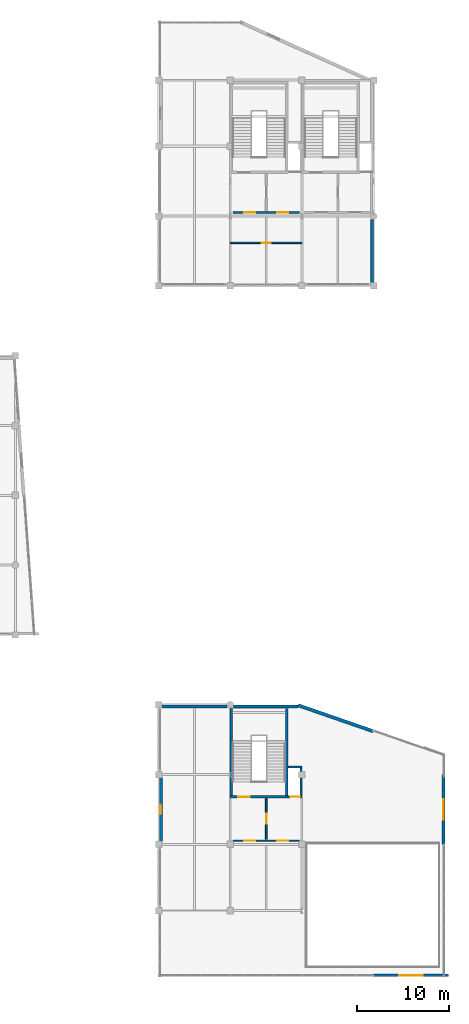
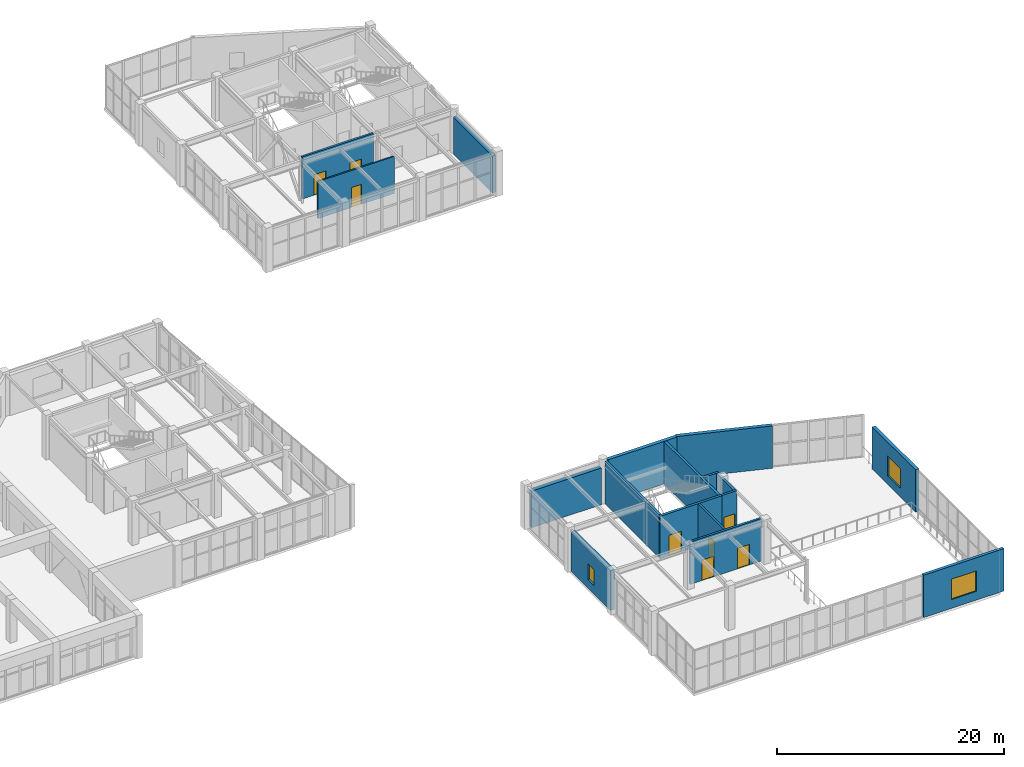
# One storey, part 67 of 72: 17 walls, 8 doors, 3 windows, 11 openings.
"""IFC4 building model written with IfcOpenShell, lengths in metres."""

from ifc_helpers import new_model, si_unit, direction, frame, frame_2d, origin, place, context, subcontext, project, spatial, rectangle, extrude, material, layer, layer_set, type_object, element, fill, save


model = new_model("IFC4")

# Units and contexts
model_context = context("Model", 3, precision=1e-05, world=origin(), true_north=direction((0.0, 1.0)))
body_context = subcontext(model_context, "Body", "Model", "MODEL_VIEW")
ifc_project = project(units=[si_unit("LENGTHUNIT", "METRE"), si_unit("AREAUNIT", "SQUARE_METRE"), si_unit("VOLUMEUNIT", "CUBIC_METRE"), si_unit("PLANEANGLEUNIT", "RADIAN"), si_unit("MASSUNIT", "GRAM", prefix="KILO")], contexts=[model_context])

# Site, building, storey
site_placement = place(None, origin())
site = spatial("IfcSite", under=ifc_project, at=site_placement, CompositionType="ELEMENT")
building_placement = place(site_placement, origin())
building = spatial("IfcBuilding", under=site, at=building_placement, Name="Xicomal Pleat Aquarium", CompositionType="ELEMENT")
storey_placement = place(building_placement, frame((0.0, 0.0, 10.5)))
storey = spatial("IfcBuildingStorey", under=building, at=storey_placement, Name="L03", CompositionType="ELEMENT", Elevation=10.5)

# Wall, opening, door
ifc_material_1 = material(Name="Concrete C40/50", Category="concrete")
ifc_layer_1 = layer(ifc_material_1, 0.219970703125)
ifc_layer_set_1 = layer_set([ifc_layer_1], Name="Concrete C40/50")
wall_type_1 = type_object("IfcWallType", Name="WAL-COR-220", PredefinedType="SHEAR", material=ifc_layer_set_1)
wall_1_placement = place(storey_placement, frame((147.89990234375, 20.389892578125, 0.0), z_axis=(0.0, 0.0, 1.0), x_axis=(1.0, 0.0, 0.0)))
wall_1 = element("IfcWall", 1, at=wall_1_placement, inside=storey, type_object=wall_type_1, Name="L03 LF-08 lift shaft wall CW-L03-C8-LS", PredefinedType="SHEAR", context=body_context, shape_type="SweptSolid", body=[
    extrude(rectangle(XDim=1.52001953125, YDim=0.219970703125, at=frame_2d((0.760009765625, 0.0))), origin(), (0.0, 0.0, 1.0), 4.574951171875),
])
opening_1_placement = place(wall_1_placement, frame((0.2099609375, 0.0, 0.0)))
opening_1 = element("IfcOpeningElement", 2, at=opening_1_placement, cuts=wall_1, Name="Opening LD-08-L03", PredefinedType="OPENING", context=body_context, shape_type="SweptSolid", body=[
    extrude(rectangle(XDim=1.10009765625, YDim=2.14990234375, at=frame_2d((0.550048828125, 1.074951171875))), frame((0.0, 0.119873046875, 0.0), z_axis=(0.0, -1.0, 0.0), x_axis=(1.0, 0.0, 0.0)), (0.0, 0.0, 1.0), 0.239990234375),
])
ifc_material_2 = material(Name="Brushed stainless steel 304", Category="steel")
door_type_1 = type_object("IfcDoorType", Name="DOR-LD-1100x2150", OperationType="DOUBLE_DOOR_SLIDING", PredefinedType="DOOR", material=ifc_material_2)
door_1_placement = place(opening_1_placement, origin())
door_1 = element("IfcDoor", 3, at=door_1_placement, inside=storey, type_object=door_type_1, Name="L03 LF-08 sliding lift landing door", OperationType="DOUBLE_DOOR_SLIDING", OverallHeight=2.14990234375, OverallWidth=1.10009765625, PredefinedType="DOOR", context=body_context, shape_type="SweptSolid", body=[
    extrude(rectangle(XDim=1.10009765625, YDim=2.14990234375, at=frame_2d((0.550048828125, 1.074951171875))), frame((0.0, 0.02490234375, 0.0), z_axis=(0.0, -1.0, 0.0), x_axis=(1.0, 0.0, 0.0)), (0.0, 0.0, 1.0), 0.050048828125),
])
fill(opening_1, door_1)

# Walls
wall_2_placement = place(storey_placement, frame((147.89990234375, 23.610107421875, 0.0), z_axis=(0.0, 0.0, 1.0), x_axis=(1.0, 0.0, 0.0)))
element("IfcWall", 4, at=wall_2_placement, inside=storey, type_object=wall_type_1, Name="L03 LF-08 lift shaft wall CW-L03-C8-LN", PredefinedType="SHEAR", context=body_context, shape_type="SweptSolid", body=[
    extrude(rectangle(XDim=1.52001953125, YDim=0.219970703125, at=frame_2d((0.760009765625, 0.0))), origin(), (0.0, 0.0, 1.0), 4.574951171875),
])
wall_3_placement = place(storey_placement, frame((149.31005859375, 20.5, 0.0), z_axis=(0.0, 0.0, 1.0), x_axis=(0.0, 1.0, 0.0)))
element("IfcWall", 5, at=wall_3_placement, inside=storey, type_object=wall_type_1, Name="L03 LF-08 lift shaft wall CW-L03-C8-LE", PredefinedType="SHEAR", context=body_context, shape_type="SweptSolid", body=[
    extrude(rectangle(XDim=3.0, YDim=0.219970703125, at=frame_2d((1.5, 0.0))), origin(), (0.0, 0.0, 1.0), 4.574951171875),
])

# Wall, opening, door
ifc_material_3 = material(Name="Concrete C40/50", Category="concrete")
ifc_layer_2 = layer(ifc_material_3, 0.25)
ifc_layer_set_2 = layer_set([ifc_layer_2], Name="Concrete C40/50")
wall_type_2 = type_object("IfcWallType", Name="WAL-COR-250", PredefinedType="SHEAR", material=ifc_layer_set_2)
wall_4_placement = place(storey_placement, frame((141.590087890625, 20.375, 0.0), z_axis=(0.0, 0.0, 1.0), x_axis=(1.0, 0.0, 0.0)))
wall_4 = element("IfcWall", 6, at=wall_4_placement, inside=storey, type_object=wall_type_2, Name="L03 CORE-8 stair shear wall CW-L03-C8-SS", PredefinedType="SHEAR", context=body_context, shape_type="SweptSolid", body=[
    extrude(rectangle(XDim=6.280029296875, YDim=0.25, at=frame_2d((3.14013671875, 0.0))), origin(), (0.0, 0.0, 1.0), 4.574951171875),
])
opening_2_placement = place(wall_4_placement, frame((0.89990234375, 0.0, 0.0)))
opening_2 = element("IfcOpeningElement", 7, at=opening_2_placement, cuts=wall_4, Name="Opening SD-08-L03", PredefinedType="OPENING", context=body_context, shape_type="SweptSolid", body=[
    extrude(rectangle(XDim=1.25, YDim=2.199951171875, at=frame_2d((0.625, 1.10009765625))), frame((0.0, 0.135009765625, 0.0), z_axis=(0.0, -1.0, 0.0), x_axis=(1.0, 0.0, 0.0)), (0.0, 0.0, 1.0), 0.27001953125),
])
ifc_material_4 = material(Name="Powder-coated steel fire door", Category="steel")
door_type_2 = type_object("IfcDoorType", Name="DOR-ST-1250x2200", OperationType="NOTDEFINED", PredefinedType="DOOR", material=ifc_material_4)
door_2_placement = place(opening_2_placement, origin())
door_2 = element("IfcDoor", 8, at=door_2_placement, inside=storey, type_object=door_type_2, Name="L03 ST-08 protected stair door", OperationType="SINGLE_SWING_LEFT", OverallHeight=2.199951171875, OverallWidth=1.25, PredefinedType="DOOR", context=body_context, shape_type="SweptSolid", body=[
    extrude(rectangle(XDim=1.25, YDim=2.199951171875, at=frame_2d((0.625, 1.10009765625))), frame((0.0, 0.02490234375, 0.0), z_axis=(0.0, -1.0, 0.0), x_axis=(1.0, 0.0, 0.0)), (0.0, 0.0, 1.0), 0.050048828125),
])
fill(opening_2, door_2)

# Walls
for number, where, z_axis, x_axis, name in (
    (9, (141.715087890625, 20.5, 0.0), (0.0, 0.0, 1.0), (0.0, 1.0, 0.0), "L03 CORE-8 stair shear wall CW-L03-C8-SW"),
    (10, (147.7451171875, 20.5, 0.0), (0.0, 0.0, 1.0), (0.0, 1.0, 0.0), "L03 CORE-8 stair shear wall CW-L03-C8-SE"),
):
    element("IfcWall", number, at=place(storey_placement, frame(where, z_axis=z_axis, x_axis=x_axis)), inside=storey, type_object=wall_type_2, Name=name, PredefinedType="SHEAR", context=body_context, shape_type="SweptSolid", body=[
        extrude(rectangle(XDim=9.5, YDim=0.25, at=frame_2d((4.75, 0.0))), origin(), (0.0, 0.0, 1.0), 4.574951171875),
    ])
ifc_material_5 = material(Name="Volcanic basalt recinto masonry and concrete C40/50", Category="masonry")
ifc_layer_3 = layer(ifc_material_5, 0.35009765625)
ifc_layer_set_3 = layer_set([ifc_layer_3], Name="Volcanic basalt recinto masonry and concrete C40/50")
wall_type_3 = type_object("IfcWallType", Name="WAL-EXT-BAS-350", PredefinedType="SOLIDWALL", material=ifc_layer_set_3)
wall_5_placement = place(storey_placement, frame((141.9599609375, 30.22509765625, 0.0), z_axis=(0.0, 0.0, 1.0), x_axis=(1.0, 0.0, 0.0)))
element("IfcWall", 11, at=wall_5_placement, inside=storey, type_object=wall_type_3, Name="L03 exterior basalt-precast wall EW-L03-015", PredefinedType="SOLIDWALL", context=body_context, shape_type="SweptSolid", body=[
    extrude(rectangle(XDim=6.998046875, YDim=0.35009765625, at=frame_2d((3.4990234375, 0.0))), origin(), (0.0, 0.0, 1.0), 4.574951171875),
])
ifc_material_6 = material(Name="Volcanic basalt recinto masonry and concrete C40/50", Category="masonry")
ifc_layer_4 = layer(ifc_material_6, 0.364990234375)
ifc_layer_set_4 = layer_set([ifc_layer_4], Name="Volcanic basalt recinto masonry and concrete C40/50")
wall_type_4 = type_object("IfcWallType", Name="WAL-EXT-BAS-365", PredefinedType="SOLIDWALL", material=ifc_layer_set_4)
wall_6_placement = place(storey_placement, frame((149.0, 30.344970703125, 0.0), z_axis=(0.0, 0.0, 1.0), x_axis=(0.944995822492, -0.327082398598, 0.0)))
element("IfcWall", 12, at=wall_6_placement, inside=storey, type_object=wall_type_4, Name="L03 exterior basalt-precast wall EW-L03-001", PredefinedType="SOLIDWALL", context=body_context, shape_type="SweptSolid", body=[
    extrude(rectangle(XDim=8.6337890625, YDim=0.364990234375, at=frame_2d((4.31689453125, 0.0))), origin(), (0.0, 0.0, 1.0), 4.56005859375),
])
wall_7_placement = place(storey_placement, frame((134.135009765625, 30.217041015625, 0.0), z_axis=(0.0, 0.0, 1.0), x_axis=(1.0, 0.0, 0.0)))
element("IfcWall", 13, at=wall_7_placement, inside=storey, type_object=wall_type_4, Name="L03 exterior basalt-precast wall EW-L03-014", PredefinedType="SOLIDWALL", context=body_context, shape_type="SweptSolid", body=[
    extrude(rectangle(XDim=7.10498046875, YDim=0.364990234375, at=frame_2d((3.552490234375, 0.0))), origin(), (0.0, 0.0, 1.0), 3.952880859375),
])

# Wall, opening, window
ifc_material_7 = material(Name="Volcanic basalt recinto masonry and concrete C40/50", Category="masonry")
ifc_layer_5 = layer(ifc_material_7, 0.39990234375)
ifc_layer_set_5 = layer_set([ifc_layer_5], Name="Volcanic basalt recinto masonry and concrete C40/50")
wall_type_5 = type_object("IfcWallType", Name="WAL-EXT-BAS-400", PredefinedType="SOLIDWALL", material=ifc_layer_set_5)
wall_8_placement = place(storey_placement, frame((134.0, 15.534912109375, 0.0), z_axis=(0.0, 0.0, 1.0), x_axis=(0.0, 1.0, 0.0)))
wall_8 = element("IfcWall", 14, at=wall_8_placement, inside=storey, type_object=wall_type_5, Name="L03 exterior basalt-precast wall EW-L03-012", PredefinedType="SOLIDWALL", context=body_context, shape_type="SweptSolid", body=[
    extrude(rectangle(XDim=6.93017578125, YDim=0.39990234375, at=frame_2d((3.465087890625, 0.0))), origin(), (0.0, 0.0, 1.0), 4.320068359375),
])
opening_3_placement = place(wall_8_placement, frame((2.93994140625, 0.0, 0.949951171875)))
opening_3 = element("IfcOpeningElement", 15, at=opening_3_placement, cuts=wall_8, Name="Opening WN-14", PredefinedType="OPENING", context=body_context, shape_type="SweptSolid", body=[
    extrude(rectangle(XDim=1.050048828125, YDim=1.699951171875, at=frame_2d((0.52490234375, 0.85009765625))), frame((0.0, 0.2099609375, 0.0), z_axis=(0.0, -1.0, 0.0), x_axis=(1.0, 0.0, 0.0)), (0.0, 0.0, 1.0), 0.419921875),
])
ifc_material_8 = material(Name="Insulated low-E laminated glass", Category="glass")
window_type_1 = type_object("IfcWindowType", Name="WIN-EXT-1050x1700", PartitioningType="SINGLE_PANEL", PredefinedType="WINDOW", material=ifc_material_8)
window_1_placement = place(opening_3_placement, origin())
window_1 = element("IfcWindow", 16, at=window_1_placement, inside=storey, type_object=window_type_1, Name="L03 thermally broken low-E window 14", OverallHeight=1.699951171875, OverallWidth=1.050048828125, PartitioningType="SINGLE_PANEL", PredefinedType="WINDOW", context=body_context, shape_type="SweptSolid", body=[
    extrude(rectangle(XDim=1.050048828125, YDim=1.699951171875, at=frame_2d((0.52490234375, 0.85009765625))), frame((0.0, 0.030029296875, 0.0), z_axis=(0.0, -1.0, 0.0), x_axis=(1.0, 0.0, 0.0)), (0.0, 0.0, 1.0), 0.06005859375),
])
fill(opening_3, window_1)

ifc_material_9 = material(Name="Precast concrete C40/50", Category="concrete")
ifc_layer_6 = layer(ifc_material_9, 0.300048828125)
ifc_layer_set_6 = layer_set([ifc_layer_6], Name="Precast concrete C40/50")
wall_type_6 = type_object("IfcWallType", Name="WAL-EXT-PRC-300", PredefinedType="SOLIDWALL", material=ifc_layer_set_6)
wall_9_placement = place(storey_placement, frame((165.360107421875, 0.949951171875, 0.0), z_axis=(0.0, 0.0, 1.0), x_axis=(-1.0, 0.0, 0.0)))
wall_9 = element("IfcWall", 17, at=wall_9_placement, inside=storey, type_object=wall_type_6, Name="L03 exterior basalt-precast wall EW-L03-006", PredefinedType="SOLIDWALL", context=body_context, shape_type="SweptSolid", body=[
    extrude(rectangle(XDim=8.18017578125, YDim=0.300048828125, at=frame_2d((4.090087890625, 0.0))), origin(), (0.0, 0.0, 1.0), 4.56005859375),
])
opening_4_placement = place(wall_9_placement, frame((2.81494140625, 0.0, 0.949951171875)))
opening_4 = element("IfcOpeningElement", 18, at=opening_4_placement, cuts=wall_9, Name="Opening WN-13", PredefinedType="OPENING", context=body_context, shape_type="SweptSolid", body=[
    extrude(rectangle(XDim=2.550048828125, YDim=2.199951171875, at=frame_2d((1.27490234375, 1.10009765625))), frame((0.0, 0.159912109375, 0.0), z_axis=(0.0, -1.0, 0.0), x_axis=(1.0, 0.0, 0.0)), (0.0, 0.0, 1.0), 0.320068359375),
])
ifc_material_10 = material(Name="Insulated low-E laminated glass", Category="glass")
window_type_2 = type_object("IfcWindowType", Name="WIN-EXT-2550x2200", PartitioningType="DOUBLE_PANEL_VERTICAL", PredefinedType="WINDOW", material=ifc_material_10)
window_2_placement = place(opening_4_placement, origin())
window_2 = element("IfcWindow", 19, at=window_2_placement, inside=storey, type_object=window_type_2, Name="L03 thermally broken low-E window 13", OverallHeight=2.199951171875, OverallWidth=2.550048828125, PartitioningType="SINGLE_PANEL", PredefinedType="WINDOW", context=body_context, shape_type="SweptSolid", body=[
    extrude(rectangle(XDim=2.550048828125, YDim=2.199951171875, at=frame_2d((1.27490234375, 1.10009765625))), frame((0.0, 0.030029296875, 0.0), z_axis=(0.0, -1.0, 0.0), x_axis=(1.0, 0.0, 0.0)), (0.0, 0.0, 1.0), 0.06005859375),
])
fill(opening_4, window_2)

# Wall
ifc_material_11 = material(Name="Precast concrete C40/50", Category="concrete")
ifc_layer_7 = layer(ifc_material_11, 0.31201171875)
ifc_layer_set_7 = layer_set([ifc_layer_7], Name="Precast concrete C40/50")
wall_type_7 = type_object("IfcWallType", Name="WAL-EXT-PRC-312", PredefinedType="SOLIDWALL", material=ifc_layer_set_7)
wall_10_placement = place(storey_placement, frame((157.0439453125, 83.239990234375, 0.0), z_axis=(0.0, 0.0, 1.0), x_axis=(0.0, -1.0, 0.0)))
element("IfcWall", 20, at=wall_10_placement, inside=storey, type_object=wall_type_7, Name="L03 exterior basalt-precast wall EW-L03-018", PredefinedType="SOLIDWALL", context=body_context, shape_type="SweptSolid", body=[
    extrude(rectangle(XDim=6.905029296875, YDim=0.31201171875, at=frame_2d((3.45263671875, 0.0))), origin(), (0.0, 0.0, 1.0), 3.990966796875),
])

# Wall, opening, window
ifc_material_12 = material(Name="Precast concrete C40/50", Category="concrete")
ifc_layer_8 = layer(ifc_material_12, 0.340087890625)
ifc_layer_set_8 = layer_set([ifc_layer_8], Name="Precast concrete C40/50")
wall_type_8 = type_object("IfcWallType", Name="WAL-EXT-PRC-340", PredefinedType="SOLIDWALL", material=ifc_layer_set_8)
wall_11_placement = place(storey_placement, frame((164.830078125, 22.820068359375, 0.0), z_axis=(0.0, 0.0, 1.0), x_axis=(0.0, -1.0, 0.0)))
wall_11 = element("IfcWall", 21, at=wall_11_placement, inside=storey, type_object=wall_type_8, Name="L03 exterior basalt-precast wall EW-L03-003", PredefinedType="SOLIDWALL", context=body_context, shape_type="SweptSolid", body=[
    extrude(rectangle(XDim=7.64013671875, YDim=0.340087890625, at=frame_2d((3.820068359375, 0.0))), origin(), (0.0, 0.0, 1.0), 4.56005859375),
])
opening_5_placement = place(wall_11_placement, frame((2.695068359375, 0.0, 0.949951171875)))
opening_5 = element("IfcOpeningElement", 22, at=opening_5_placement, cuts=wall_11, Name="Opening WN-12", PredefinedType="OPENING", context=body_context, shape_type="SweptSolid", body=[
    extrude(rectangle(XDim=2.25, YDim=2.14990234375, at=frame_2d((1.125, 1.074951171875))), frame((0.0, 0.179931640625, 0.0), z_axis=(0.0, -1.0, 0.0), x_axis=(1.0, 0.0, 0.0)), (0.0, 0.0, 1.0), 0.360107421875),
])
ifc_material_13 = material(Name="Insulated low-E laminated glass", Category="glass")
window_type_3 = type_object("IfcWindowType", Name="WIN-EXT-2250x2150", PartitioningType="DOUBLE_PANEL_VERTICAL", PredefinedType="WINDOW", material=ifc_material_13)
window_3_placement = place(opening_5_placement, origin())
window_3 = element("IfcWindow", 23, at=window_3_placement, inside=storey, type_object=window_type_3, Name="L03 thermally broken low-E window 12", OverallHeight=2.14990234375, OverallWidth=2.25, PartitioningType="SINGLE_PANEL", PredefinedType="WINDOW", context=body_context, shape_type="SweptSolid", body=[
    extrude(rectangle(XDim=2.25, YDim=2.14990234375, at=frame_2d((1.125, 1.074951171875))), frame((0.0, 0.030029296875, 0.0), z_axis=(0.0, -1.0, 0.0), x_axis=(1.0, 0.0, 0.0)), (0.0, 0.0, 1.0), 0.06005859375),
])
fill(opening_5, window_3)

# Wall, opening, door
ifc_material_14 = material(Name="Water-resistant cement-board wet-lab partition", Category="gypsum")
ifc_layer_9 = layer(ifc_material_14, 0.14990234375)
ifc_layer_set_9 = layer_set([ifc_layer_9], Name="Water-resistant cement-board wet-lab partition")
wall_type_9 = type_object("IfcWallType", Name="WAL-PRT-150", PredefinedType="PARTITIONING", material=ifc_layer_set_9)
wall_12_placement = place(storey_placement, frame((141.60009765625, 80.679931640625, 0.0), z_axis=(0.0, 0.0, 1.0), x_axis=(1.0, 0.0, 0.0)))
wall_12 = element("IfcWall", 24, at=wall_12_placement, inside=storey, type_object=wall_type_9, Name="L03 interior partition PT-L03-059", PredefinedType="PARTITIONING", context=body_context, shape_type="SweptSolid", body=[
    extrude(rectangle(XDim=7.7998046875, YDim=0.14990234375, at=frame_2d((3.89990234375, 0.0))), origin(), (0.0, 0.0, 1.0), 3.990966796875),
])
opening_6_placement = place(wall_12_placement, frame((3.39990234375, 0.0, 0.0)))
opening_6 = element("IfcOpeningElement", 25, at=opening_6_placement, cuts=wall_12, Name="Opening DR-L03-033", PredefinedType="OPENING", context=body_context, shape_type="SweptSolid", body=[
    extrude(rectangle(XDim=1.0, YDim=2.14990234375, at=frame_2d((0.5, 1.074951171875))), frame((0.0, 0.0849609375, 0.0), z_axis=(0.0, -1.0, 0.0), x_axis=(1.0, 0.0, 0.0)), (0.0, 0.0, 1.0), 0.169921875),
])
ifc_material_15 = material(Name="Solid-core hardwood and anodized aluminium frame", Category="wood")
door_type_3 = type_object("IfcDoorType", Name="DOR-OFF-1000x2150", OperationType="NOTDEFINED", PredefinedType="DOOR", material=ifc_material_15)
door_3_placement = place(opening_6_placement, origin())
door_3 = element("IfcDoor", 26, at=door_3_placement, inside=storey, type_object=door_type_3, Name="L03 Quarantine Water Quality Laboratory door DR-L03-033", OperationType="SINGLE_SWING_LEFT", OverallHeight=2.14990234375, OverallWidth=1.0, PredefinedType="DOOR", context=body_context, shape_type="SweptSolid", body=[
    extrude(rectangle(XDim=1.0, YDim=2.14990234375, at=frame_2d((0.5, 1.074951171875))), frame((0.0, 0.02490234375, 0.0), z_axis=(0.0, -1.0, 0.0), x_axis=(1.0, 0.0, 0.0)), (0.0, 0.0, 1.0), 0.050048828125),
])
fill(opening_6, door_3)

ifc_material_16 = material(Name="Acoustic double-stud drywall partition", Category="gypsum")
ifc_layer_10 = layer(ifc_material_16, 0.195068359375)
ifc_layer_set_10 = layer_set([ifc_layer_10], Name="Acoustic double-stud drywall partition")
wall_type_10 = type_object("IfcWallType", Name="WAL-PRT-195", PredefinedType="PARTITIONING", material=ifc_layer_set_10)
wall_13_placement = place(storey_placement, frame((145.52490234375, 15.75, 0.0), z_axis=(0.0, 0.0, 1.0), x_axis=(0.0, 1.0, 0.0)))
wall_13 = element("IfcWall", 27, at=wall_13_placement, inside=storey, type_object=wall_type_10, Name="L03 firefighting lobby smoke divider 8", PredefinedType="PARTITIONING", context=body_context, shape_type="SweptSolid", body=[
    extrude(rectangle(XDim=4.5, YDim=0.195068359375, at=frame_2d((2.25, 0.0))), origin(), (0.0, 0.0, 1.0), 4.574951171875),
])
opening_7_placement = place(wall_13_placement, frame((1.699951171875, 0.0, 0.0)))
opening_7 = element("IfcOpeningElement", 28, at=opening_7_placement, cuts=wall_13, Name="Opening FD-08C-L03", PredefinedType="OPENING", context=body_context, shape_type="SweptSolid", body=[
    extrude(rectangle(XDim=1.10009765625, YDim=2.14990234375, at=frame_2d((0.550048828125, 1.074951171875))), frame((0.0, 0.107421875, 0.0), z_axis=(0.0, -1.0, 0.0), x_axis=(1.0, 0.0, 0.0)), (0.0, 0.0, 1.0), 0.215087890625),
])
ifc_material_17 = material(Name="Powder-coated steel fire door", Category="steel")
door_type_4 = type_object("IfcDoorType", Name="DOR-LAB-1100x2150", OperationType="NOTDEFINED", PredefinedType="DOOR", material=ifc_material_17)
door_4_placement = place(opening_7_placement, origin())
door_4 = element("IfcDoor", 29, at=door_4_placement, inside=storey, type_object=door_type_4, Name="L03 lobby interconnecting fire door 8C", OperationType="SINGLE_SWING_LEFT", OverallHeight=2.14990234375, OverallWidth=1.10009765625, PredefinedType="DOOR", context=body_context, shape_type="SweptSolid", body=[
    extrude(rectangle(XDim=1.10009765625, YDim=2.14990234375, at=frame_2d((0.550048828125, 1.074951171875))), frame((0.0, 0.02490234375, 0.0), z_axis=(0.0, -1.0, 0.0), x_axis=(1.0, 0.0, 0.0)), (0.0, 0.0, 1.0), 0.050048828125),
])
fill(opening_7, door_4)

# Wall, openings, doors
ifc_material_18 = material(Name="Fire-rated gypsum and mineral-wool partition", Category="gypsum")
ifc_layer_11 = layer(ifc_material_18, 0.2099609375)
ifc_layer_set_11 = layer_set([ifc_layer_11], Name="Fire-rated gypsum and mineral-wool partition")
wall_type_11 = type_object("IfcWallType", Name="WAL-PRT-210", PredefinedType="PARTITIONING", material=ifc_layer_set_11)
wall_14_placement = place(storey_placement, frame((141.89990234375, 84.0, 0.0), z_axis=(0.0, 0.0, 1.0), x_axis=(1.0, 0.0, 0.0)))
wall_14 = element("IfcWall", 30, at=wall_14_placement, inside=storey, type_object=wall_type_11, Name="L03 CORE-5 lobby fire enclosure wall", PredefinedType="PARTITIONING", context=body_context, shape_type="SweptSolid", body=[
    extrude(rectangle(XDim=7.25, YDim=0.2099609375, at=frame_2d((3.625, 0.0))), origin(), (0.0, 0.0, 1.0), 4.5400390625),
])
opening_8_placement = place(wall_14_placement, frame((1.2119140625, 0.0, 0.0)))
opening_8 = element("IfcOpeningElement", 31, at=opening_8_placement, cuts=wall_14, Name="Opening FD-05A-L03", PredefinedType="OPENING", context=body_context, shape_type="SweptSolid", body=[
    extrude(rectangle(XDim=1.199951171875, YDim=2.199951171875, at=frame_2d((0.60009765625, 1.10009765625))), frame((0.0, 0.114990234375, 0.0), z_axis=(0.0, -1.0, 0.0), x_axis=(1.0, 0.0, 0.0)), (0.0, 0.0, 1.0), 0.22998046875),
])
opening_9_placement = place(wall_14_placement, frame((4.837890625, 0.0, 0.0)))
opening_9 = element("IfcOpeningElement", 32, at=opening_9_placement, cuts=wall_14, Name="Opening FD-05B-L03", PredefinedType="OPENING", context=body_context, shape_type="SweptSolid", body=[
    extrude(rectangle(XDim=1.199951171875, YDim=2.199951171875, at=frame_2d((0.60009765625, 1.10009765625))), frame((0.0, 0.114990234375, 0.0), z_axis=(0.0, -1.0, 0.0), x_axis=(1.0, 0.0, 0.0)), (0.0, 0.0, 1.0), 0.22998046875),
])
ifc_material_19 = material(Name="Powder-coated steel fire door", Category="steel")
door_type_5 = type_object("IfcDoorType", Name="DOR-FFL-1200x2200", OperationType="NOTDEFINED", PredefinedType="DOOR", material=ifc_material_19)
door_5_placement = place(opening_8_placement, origin())
door_5 = element("IfcDoor", 33, at=door_5_placement, inside=storey, type_object=door_type_5, Name="L03 firefighting lobby door 5A", OperationType="SINGLE_SWING_RIGHT", OverallHeight=2.199951171875, OverallWidth=1.199951171875, PredefinedType="DOOR", context=body_context, shape_type="SweptSolid", body=[
    extrude(rectangle(XDim=1.199951171875, YDim=2.199951171875, at=frame_2d((0.60009765625, 1.10009765625))), frame((0.0, 0.02490234375, 0.0), z_axis=(0.0, -1.0, 0.0), x_axis=(1.0, 0.0, 0.0)), (0.0, 0.0, 1.0), 0.050048828125),
])
fill(opening_8, door_5)
door_6_placement = place(opening_9_placement, origin())
door_6 = element("IfcDoor", 34, at=door_6_placement, inside=storey, type_object=door_type_5, Name="L03 lift lobby door 5B", OperationType="SINGLE_SWING_LEFT", OverallHeight=2.199951171875, OverallWidth=1.199951171875, PredefinedType="DOOR", context=body_context, shape_type="SweptSolid", body=[
    extrude(rectangle(XDim=1.199951171875, YDim=2.199951171875, at=frame_2d((0.60009765625, 1.10009765625))), frame((0.0, 0.02490234375, 0.0), z_axis=(0.0, -1.0, 0.0), x_axis=(1.0, 0.0, 0.0)), (0.0, 0.0, 1.0), 0.050048828125),
])
fill(opening_9, door_6)

wall_15_placement = place(storey_placement, frame((141.89990234375, 15.60009765625, 0.0), z_axis=(0.0, 0.0, 1.0), x_axis=(1.0, 0.0, 0.0)))
wall_15 = element("IfcWall", 35, at=wall_15_placement, inside=storey, type_object=wall_type_11, Name="L03 CORE-8 lobby fire enclosure wall", PredefinedType="PARTITIONING", context=body_context, shape_type="SweptSolid", body=[
    extrude(rectangle(XDim=7.25, YDim=0.2099609375, at=frame_2d((3.625, 0.0))), origin(), (0.0, 0.0, 1.0), 4.574951171875),
])
opening_10_placement = place(wall_15_placement, frame((1.2119140625, 0.0, 0.0)))
opening_10 = element("IfcOpeningElement", 36, at=opening_10_placement, cuts=wall_15, Name="Opening FD-08A-L03", PredefinedType="OPENING", context=body_context, shape_type="SweptSolid", body=[
    extrude(rectangle(XDim=1.199951171875, YDim=2.199951171875, at=frame_2d((0.60009765625, 1.10009765625))), frame((0.0, 0.114990234375, 0.0), z_axis=(0.0, -1.0, 0.0), x_axis=(1.0, 0.0, 0.0)), (0.0, 0.0, 1.0), 0.22998046875),
])
opening_11_placement = place(wall_15_placement, frame((4.837890625, 0.0, 0.0)))
opening_11 = element("IfcOpeningElement", 37, at=opening_11_placement, cuts=wall_15, Name="Opening FD-08B-L03", PredefinedType="OPENING", context=body_context, shape_type="SweptSolid", body=[
    extrude(rectangle(XDim=1.199951171875, YDim=2.199951171875, at=frame_2d((0.60009765625, 1.10009765625))), frame((0.0, 0.114990234375, 0.0), z_axis=(0.0, -1.0, 0.0), x_axis=(1.0, 0.0, 0.0)), (0.0, 0.0, 1.0), 0.22998046875),
])
door_7_placement = place(opening_10_placement, origin())
door_7 = element("IfcDoor", 38, at=door_7_placement, inside=storey, type_object=door_type_5, Name="L03 firefighting lobby door 8A", OperationType="SINGLE_SWING_LEFT", OverallHeight=2.199951171875, OverallWidth=1.199951171875, PredefinedType="DOOR", context=body_context, shape_type="SweptSolid", body=[
    extrude(rectangle(XDim=1.199951171875, YDim=2.199951171875, at=frame_2d((0.60009765625, 1.10009765625))), frame((0.0, 0.02490234375, 0.0), z_axis=(0.0, -1.0, 0.0), x_axis=(1.0, 0.0, 0.0)), (0.0, 0.0, 1.0), 0.050048828125),
])
fill(opening_10, door_7)
door_8_placement = place(opening_11_placement, origin())
door_8 = element("IfcDoor", 39, at=door_8_placement, inside=storey, type_object=door_type_5, Name="L03 lift lobby door 8B", OperationType="SINGLE_SWING_RIGHT", OverallHeight=2.199951171875, OverallWidth=1.199951171875, PredefinedType="DOOR", context=body_context, shape_type="SweptSolid", body=[
    extrude(rectangle(XDim=1.199951171875, YDim=2.199951171875, at=frame_2d((0.60009765625, 1.10009765625))), frame((0.0, 0.02490234375, 0.0), z_axis=(0.0, -1.0, 0.0), x_axis=(1.0, 0.0, 0.0)), (0.0, 0.0, 1.0), 0.050048828125),
])
fill(opening_11, door_8)

save(model, "model.ifc")
